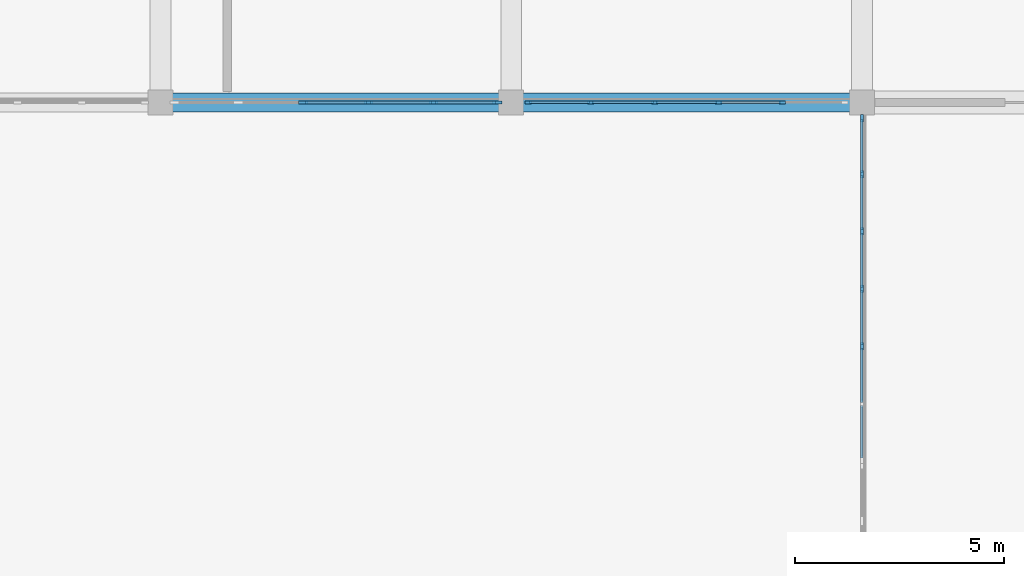
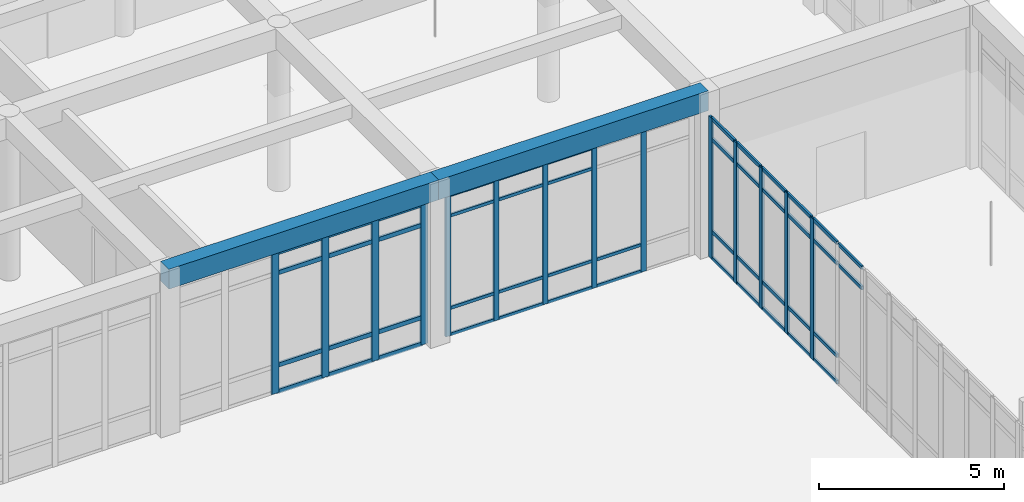
# One storey, part 28 of 157: 62 members, 2 beams, 3 elements without a shape of their own.
"""IFC4 building model written with IfcOpenShell, lengths in metres."""

import ifcopenshell
import ifcopenshell.guid

model = None  # the IFC model being written
_history = None  # IfcOwnerHistory: only IFC2X3 demands one
_inside = {}  # id of a spatial element -> (the spatial element, [elements in it])
_under = {}  # id of a project, library or spatial element -> (it, [spatial elements below it])
_declared = {}  # id of a project -> (the project, [libraries it declares])
_typed = {}  # id of a type object -> (the type object, [elements of that type])
_made_of = {}  # id of a material, layer set ... -> (it, [elements and type objects made of it])


def new_model(schema):
    """Start an empty IFC model of exactly this schema.

    Asked for "IFC4X3", IfcOpenShell would pick the latest addendum, in which some entities
    have other attributes; the version numbers below select the first issue.
    IFC2X3 requires an IfcOwnerHistory on every rooted entity: one is made here for all.
    """
    global model, _history
    if schema == "IFC4X3":
        model = ifcopenshell.file(schema_version=(4, 3, 0, 0))
    else:
        model = ifcopenshell.file(schema=schema)
    _inside.clear()
    _under.clear()
    _declared.clear()
    _typed.clear()
    _made_of.clear()
    _history = None
    if model.schema == "IFC2X3":
        org = make("IfcOrganization", Name="unknown")
        user = make(
            "IfcPersonAndOrganization",
            ThePerson=make("IfcPerson", FamilyName="unknown"),
            TheOrganization=org,
        )
        app = make(
            "IfcApplication",
            ApplicationDeveloper=org,
            Version="unknown",
            ApplicationFullName="unknown",
            ApplicationIdentifier="unknown",
        )
        _history = make(
            "IfcOwnerHistory",
            OwningUser=user,
            OwningApplication=app,
            ChangeAction="ADDED",
            CreationDate=0,
        )
    return model


def make(cls, **values):
    """One entity of the class cls with the attributes given. An attribute that is None is left unset."""
    return model.create_entity(
        cls, **{name: value for name, value in values.items() if value is not None}
    )


def rooted(cls, **values):
    """An entity with a GlobalId (a new one), such as an element, a storey or a relation."""
    return make(cls, GlobalId=ifcopenshell.guid.new(), OwnerHistory=_history, **values)


def si_unit(unit_type, name, prefix=None):
    """IfcSIUnit, for example si_unit("LENGTHUNIT", "METRE", prefix="MILLI")."""
    return make("IfcSIUnit", UnitType=unit_type, Prefix=prefix, Name=name)


def assignment(units):
    """IfcUnitAssignment: the units of a project."""
    return None if units is None else make("IfcUnitAssignment", Units=units)


def point(xyz):
    """IfcCartesianPoint."""
    return None if xyz is None else make("IfcCartesianPoint", Coordinates=xyz)


def direction(xyz):
    """IfcDirection."""
    return None if xyz is None else make("IfcDirection", DirectionRatios=xyz)


def frame(location, z_axis=None, x_axis=None):
    """IfcAxis2Placement3D, a coordinate frame: its origin and axes. An axis left out is left unset."""
    return make(
        "IfcAxis2Placement3D",
        Location=point(location),
        Axis=direction(z_axis),
        RefDirection=direction(x_axis),
    )


def frame_2d(location, x_axis=None):
    """IfcAxis2Placement2D, a coordinate frame in the plane: its origin and x axis."""
    return make(
        "IfcAxis2Placement2D", Location=point(location), RefDirection=direction(x_axis)
    )


def origin():
    """The frame at (0, 0, 0) with its axes left unset."""
    return frame((0.0, 0.0, 0.0))


def origin_2d():
    """The frame at (0, 0) in the plane with its x axis left unset."""
    return frame_2d((0.0, 0.0))


def place(relative_to, where):
    """IfcLocalPlacement: puts the frame where relative to a parent placement (None: the world)."""
    return make(
        "IfcLocalPlacement", PlacementRelTo=relative_to, RelativePlacement=where
    )


def context(
    kind, dimensions, precision=None, world=None, true_north=None, identifier=None
):
    """IfcGeometricRepresentationContext, for example the 3D "Model" context."""
    return make(
        "IfcGeometricRepresentationContext",
        ContextIdentifier=identifier,
        ContextType=kind,
        CoordinateSpaceDimension=dimensions,
        Precision=precision,
        WorldCoordinateSystem=world,
        TrueNorth=true_north,
    )


def subcontext(parent, identifier, kind, view, scale=None):
    """IfcGeometricRepresentationSubContext, for example "Body" below "Model"."""
    return make(
        "IfcGeometricRepresentationSubContext",
        ContextIdentifier=identifier,
        ContextType=kind,
        ParentContext=parent,
        TargetScale=scale,
        TargetView=view,
    )


def project(units=None, contexts=None):
    """IfcProject with its units and contexts."""
    return rooted(
        "IfcProject",
        Name="project",
        RepresentationContexts=contexts,
        UnitsInContext=assignment(units),
    )


def spatial(cls, under=None, at=None, **own):
    """A site, building, storey or space (cls), placed at a placement, below another one or the project."""
    s = rooted(cls, ObjectPlacement=at, **own)
    if under is not None:
        _under.setdefault(under.id(), (under, []))[1].append(s)
    return s


def profile(cls, at=None, kind="AREA", **sizes):
    """A parametric profile (cls). Its sizes go by their IFC names, for example OverallWidth=200.0."""
    return make(cls, ProfileType=kind, Position=at, **sizes)


def rectangle(**sizes):
    """IfcRectangleProfileDef."""
    return profile("IfcRectangleProfileDef", **sizes)


def extrude(swept, where, along, depth):
    """IfcExtrudedAreaSolid: the profile swept, set in the frame where, extruded along a direction by depth."""
    return make(
        "IfcExtrudedAreaSolid",
        SweptArea=swept,
        Position=where,
        ExtrudedDirection=direction(along),
        Depth=depth,
    )


def shape(context_of_items, identifier, shape_type, items):
    """IfcShapeRepresentation: the items that make up one representation, for example the "Body"."""
    return make(
        "IfcShapeRepresentation",
        ContextOfItems=context_of_items,
        RepresentationIdentifier=identifier,
        RepresentationType=shape_type,
        Items=items,
    )


def material(Name=None, Category=None):
    """IfcMaterial."""
    return make("IfcMaterial", Name=Name, Category=Category)


def material_profile(
    of_material, cross_section, Name=None, Category=None, Priority=None
):
    """IfcMaterialProfile: a cross section and its material."""
    return make(
        "IfcMaterialProfile",
        Name=Name,
        Material=of_material,
        Profile=cross_section,
        Priority=Priority,
        Category=Category,
    )


def profile_set(profiles, Name=None, composite=None):
    """IfcMaterialProfileSet."""
    return make(
        "IfcMaterialProfileSet",
        Name=Name,
        MaterialProfiles=profiles,
        CompositeProfile=composite,
    )


def made_of(thing, what):
    """Note that an element or type object is made of a material, layer set ...; save() writes the relation."""
    if what is not None:
        _made_of.setdefault(what.id(), (what, []))[1].append(thing)
    return thing


def type_object(cls, material=None, **own):
    """A type object (cls), such as IfcWallType, which elements share."""
    return made_of(rooted(cls, **own), material)


def element(
    cls,
    number,
    at=None,
    inside=None,
    cuts=None,
    type_object=None,
    material=None,
    context=None,
    identifier="Body",
    shape_type=None,
    held_by="IfcProductDefinitionShape",
    body=None,
    shapes=None,
    **own,
):
    """One element of the class cls, such as IfcWall. Its Tag is "e" and its number.

    at: its placement. inside: the storey or other place that contains it. cuts: it is an
    opening in that element (IfcRelVoidsElement). A single representation is given by context,
    identifier, shape_type and body (its items); several are given by shapes. held_by: the class
    of the entity that holds the representations. save() writes the other relations.
    """
    e = rooted(cls, Tag="e%d" % number, ObjectPlacement=at, **own)
    if body is not None:
        shapes = [shape(context, identifier, shape_type, body)]
    if shapes is not None:
        e.Representation = make(held_by, Representations=shapes)
    if inside is not None:
        _inside.setdefault(inside.id(), (inside, []))[1].append(e)
    if cuts is not None:
        rooted(
            "IfcRelVoidsElement", RelatingBuildingElement=cuts, RelatedOpeningElement=e
        )
    if type_object is not None:
        _typed.setdefault(type_object.id(), (type_object, []))[1].append(e)
    return made_of(e, material)


def aggregate(whole, parts):
    """IfcRelAggregates: a whole, such as a stair, and the parts it consists of."""
    return rooted("IfcRelAggregates", RelatingObject=whole, RelatedObjects=parts)


def save(model, path):
    """Write the relations noted so far, then the file.

    IfcRelAggregates (storeys below a building ...), IfcRelContainedInSpatialStructure (elements
    in a storey), IfcRelDefinesByType, IfcRelAssociatesMaterial and IfcRelDeclares: one each for
    every whole, place, type object, material and project.
    """
    for whole, parts in _under.values():
        aggregate(whole, parts)
    for where, things in _inside.values():
        rooted(
            "IfcRelContainedInSpatialStructure",
            RelatedElements=things,
            RelatingStructure=where,
        )
    for kind, things in _typed.values():
        rooted("IfcRelDefinesByType", RelatedObjects=things, RelatingType=kind)
    for what, things in _made_of.values():
        rooted("IfcRelAssociatesMaterial", RelatedObjects=things, RelatingMaterial=what)
    for by, libraries in _declared.values():
        rooted("IfcRelDeclares", RelatingContext=by, RelatedDefinitions=libraries)
    model.write(path)


model = new_model("IFC4")

# Units and contexts
model_context = context("Model", 3, precision=1e-05, world=origin(), true_north=direction((0.0, 1.0)))
body_context = subcontext(model_context, "Body", "Model", "MODEL_VIEW")
ifc_project = project(units=[si_unit("LENGTHUNIT", "METRE"), si_unit("AREAUNIT", "SQUARE_METRE"), si_unit("VOLUMEUNIT", "CUBIC_METRE"), si_unit("PLANEANGLEUNIT", "RADIAN"), si_unit("MASSUNIT", "GRAM", prefix="KILO")], contexts=[model_context])

# Site, building, storey
site_placement = place(None, origin())
site = spatial("IfcSite", under=ifc_project, at=site_placement, CompositionType="ELEMENT")
building_placement = place(site_placement, origin())
building = spatial("IfcBuilding", under=site, at=building_placement, Name="Varncliffe General Hospital", CompositionType="ELEMENT")
storey_placement = place(building_placement, frame((0.0, 0.0, 5.39990234375)))
storey = spatial("IfcBuildingStorey", under=building, at=storey_placement, Name="L01", CompositionType="ELEMENT", Elevation=5.39990234375)

# Curtain wall, members
ifc_material_1 = material(Name="Triple low-E argon insulated vision glazing", Category="glass")
curtain_wall_type_1 = type_object("IfcCurtainWallType", Name="Unitised Glazed Curtain Wall CW14 (8260x4640)", PredefinedType="USERDEFINED", material=ifc_material_1)
curtain_wall_1_placement = place(storey_placement, origin())
curtain_wall_1 = element("IfcCurtainWall", 1, at=curtain_wall_1_placement, inside=storey, type_object=curtain_wall_type_1, Name="L01 Glazed Curtain Wall CW14-100", ObjectType="GLAZED CURTAIN WALL", PredefinedType="USERDEFINED")
ifc_material_2 = material(Name="Dark bronze thermally broken aluminium framing", Category="aluminium")
ifc_material_profile_1 = material_profile(ifc_material_2, rectangle(XDim=0.074951171875, YDim=0.179931640625, at=origin_2d()), Name="ALU 75x180")
ifc_profile_set_1 = profile_set([ifc_material_profile_1], Name="Dark bronze thermally broken aluminium framing")
member_type_1 = type_object("IfcMemberType", Name="Curtain Wall Mullion CM44 (ALU 75x180)", PredefinedType="MULLION", material=ifc_profile_set_1)
member_1_placement = place(storey_placement, frame((109.199951171875, 51.755126953125, 0.0), z_axis=(0.0, 0.0, 1.0), x_axis=(-1.0, 0.0, 0.0)))
member_1 = element("IfcMember", 2, at=member_1_placement, type_object=member_type_1, Name="CW14 mullion 3", PredefinedType="MULLION", context=body_context, shape_type="SweptSolid", body=[
    extrude(rectangle(XDim=0.074951171875, YDim=0.179931640625, at=origin_2d()), origin(), (0.0, 0.0, 1.0), 4.64013671875),
])
member_2_placement = place(storey_placement, frame((109.199951171875, 53.1318359375, 0.0), z_axis=(0.0, 0.0, 1.0), x_axis=(-1.0, 0.0, 0.0)))
member_2 = element("IfcMember", 3, at=member_2_placement, type_object=member_type_1, Name="CW14 mullion 4", PredefinedType="MULLION", context=body_context, shape_type="SweptSolid", body=[
    extrude(rectangle(XDim=0.074951171875, YDim=0.179931640625, at=origin_2d()), origin(), (0.0, 0.0, 1.0), 4.64013671875),
])
member_3_placement = place(storey_placement, frame((109.199951171875, 54.508544921875, 0.0), z_axis=(0.0, 0.0, 1.0), x_axis=(-1.0, 0.0, 0.0)))
member_3 = element("IfcMember", 4, at=member_3_placement, type_object=member_type_1, Name="CW14 mullion 5", PredefinedType="MULLION", context=body_context, shape_type="SweptSolid", body=[
    extrude(rectangle(XDim=0.074951171875, YDim=0.179931640625, at=origin_2d()), origin(), (0.0, 0.0, 1.0), 4.64013671875),
])
member_4_placement = place(storey_placement, frame((109.199951171875, 55.88525390625, 0.0), z_axis=(0.0, 0.0, 1.0), x_axis=(-1.0, 0.0, 0.0)))
member_4 = element("IfcMember", 5, at=member_4_placement, type_object=member_type_1, Name="CW14 mullion 6", PredefinedType="MULLION", context=body_context, shape_type="SweptSolid", body=[
    extrude(rectangle(XDim=0.074951171875, YDim=0.179931640625, at=origin_2d()), origin(), (0.0, 0.0, 1.0), 4.64013671875),
])
member_5_placement = place(storey_placement, frame((109.199951171875, 57.224609375, 0.0), z_axis=(0.0, 0.0, 1.0), x_axis=(-1.0, 0.0, 0.0)))
member_5 = element("IfcMember", 6, at=member_5_placement, type_object=member_type_1, Name="CW14 mullion 7", PredefinedType="MULLION", context=body_context, shape_type="SweptSolid", body=[
    extrude(rectangle(XDim=0.074951171875, YDim=0.179931640625, at=origin_2d()), origin(), (0.0, 0.0, 1.0), 4.64013671875),
])

curtain_wall_type_2 = type_object("IfcCurtainWallType", Name="Unitised Glazed Curtain Wall CW27 (7644x4640)", PredefinedType="USERDEFINED", material=ifc_material_1)
curtain_wall_2_placement = place(storey_placement, origin())
curtain_wall_2 = element("IfcCurtainWall", 7, at=curtain_wall_2_placement, inside=storey, type_object=curtain_wall_type_2, Name="L01 Glazed Curtain Wall CW27-101", ObjectType="GLAZED CURTAIN WALL", PredefinedType="USERDEFINED")
ifc_material_profile_2 = material_profile(ifc_material_2, rectangle(XDim=0.06494140625, YDim=0.159912109375, at=origin_2d()), Name="ALU 65x160")
ifc_profile_set_2 = profile_set([ifc_material_profile_2], Name="Dark bronze thermally broken aluminium framing")
member_type_2 = type_object("IfcMemberType", Name="Curtain Wall Mullion CM65 (ALU 65x160)", PredefinedType="MULLION", material=ifc_profile_set_2)
member_6_placement = place(storey_placement, frame((107.293212890625, 57.60009765625, 0.0), z_axis=(0.0, 0.0, 1.0), x_axis=(0.0, -1.0, 0.0)))
member_6 = element("IfcMember", 8, at=member_6_placement, type_object=member_type_2, Name="CW27 mullion 2", PredefinedType="MULLION", context=body_context, shape_type="SweptSolid", body=[
    extrude(rectangle(XDim=0.06494140625, YDim=0.159912109375, at=origin_2d()), origin(), (0.0, 0.0, 1.0), 4.64013671875),
])
member_7_placement = place(storey_placement, frame((105.764404296875, 57.60009765625, 0.0), z_axis=(0.0, 0.0, 1.0), x_axis=(0.0, -1.0, 0.0)))
member_7 = element("IfcMember", 9, at=member_7_placement, type_object=member_type_2, Name="CW27 mullion 3", PredefinedType="MULLION", context=body_context, shape_type="SweptSolid", body=[
    extrude(rectangle(XDim=0.06494140625, YDim=0.159912109375, at=origin_2d()), origin(), (0.0, 0.0, 1.0), 4.64013671875),
])
member_8_placement = place(storey_placement, frame((104.235595703125, 57.60009765625, 0.0), z_axis=(0.0, 0.0, 1.0), x_axis=(0.0, -1.0, 0.0)))
member_8 = element("IfcMember", 10, at=member_8_placement, type_object=member_type_2, Name="CW27 mullion 4", PredefinedType="MULLION", context=body_context, shape_type="SweptSolid", body=[
    extrude(rectangle(XDim=0.06494140625, YDim=0.159912109375, at=origin_2d()), origin(), (0.0, 0.0, 1.0), 4.64013671875),
])
member_9_placement = place(storey_placement, frame((102.706787109375, 57.60009765625, 0.0), z_axis=(0.0, 0.0, 1.0), x_axis=(0.0, -1.0, 0.0)))
member_9 = element("IfcMember", 11, at=member_9_placement, type_object=member_type_2, Name="CW27 mullion 5", PredefinedType="MULLION", context=body_context, shape_type="SweptSolid", body=[
    extrude(rectangle(XDim=0.06494140625, YDim=0.159912109375, at=origin_2d()), origin(), (0.0, 0.0, 1.0), 4.64013671875),
])
member_10_placement = place(storey_placement, frame((101.21044921875, 57.60009765625, 0.0), z_axis=(0.0, 0.0, 1.0), x_axis=(0.0, -1.0, 0.0)))
member_10 = element("IfcMember", 12, at=member_10_placement, type_object=member_type_2, Name="CW27 mullion 6", PredefinedType="MULLION", context=body_context, shape_type="SweptSolid", body=[
    extrude(rectangle(XDim=0.06494140625, YDim=0.159912109375, at=origin_2d()), origin(), (0.0, 0.0, 1.0), 4.64013671875),
])

curtain_wall_type_3 = type_object("IfcCurtainWallType", Name="Unitised Glazed Curtain Wall CW85 (7804x4640)", PredefinedType="USERDEFINED", material=ifc_material_1)
curtain_wall_3_placement = place(storey_placement, origin())
curtain_wall_3 = element("IfcCurtainWall", 13, at=curtain_wall_3_placement, inside=storey, type_object=curtain_wall_type_3, Name="L01 Glazed Curtain Wall CW85-102", ObjectType="GLAZED CURTAIN WALL", PredefinedType="USERDEFINED")
ifc_material_profile_3 = material_profile(ifc_material_2, rectangle(XDim=0.074951171875, YDim=0.219970703125, at=origin_2d()), Name="ALU 75x220")
ifc_profile_set_3 = profile_set([ifc_material_profile_3], Name="Dark bronze thermally broken aluminium framing")
member_type_3 = type_object("IfcMemberType", Name="Curtain Wall Mullion CM74 (ALU 75x220)", PredefinedType="MULLION", material=ifc_profile_set_3)
member_11_placement = place(storey_placement, frame((100.464599609375, 57.60009765625, 0.0), z_axis=(0.0, 0.0, 1.0), x_axis=(0.0, -1.0, 0.0)))
member_11 = element("IfcMember", 14, at=member_11_placement, type_object=member_type_3, Name="CW85 mullion 1", PredefinedType="MULLION", context=body_context, shape_type="SweptSolid", body=[
    extrude(rectangle(XDim=0.074951171875, YDim=0.219970703125, at=origin_2d()), origin(), (0.0, 0.0, 1.0), 4.64013671875),
])
member_12_placement = place(storey_placement, frame((98.941162109375, 57.60009765625, 0.0), z_axis=(0.0, 0.0, 1.0), x_axis=(0.0, -1.0, 0.0)))
member_12 = element("IfcMember", 15, at=member_12_placement, type_object=member_type_3, Name="CW85 mullion 2", PredefinedType="MULLION", context=body_context, shape_type="SweptSolid", body=[
    extrude(rectangle(XDim=0.074951171875, YDim=0.219970703125, at=origin_2d()), origin(), (0.0, 0.0, 1.0), 4.64013671875),
])
member_13_placement = place(storey_placement, frame((97.38037109375, 57.60009765625, 0.0), z_axis=(0.0, 0.0, 1.0), x_axis=(0.0, -1.0, 0.0)))
member_13 = element("IfcMember", 16, at=member_13_placement, type_object=member_type_3, Name="CW85 mullion 3", PredefinedType="MULLION", context=body_context, shape_type="SweptSolid", body=[
    extrude(rectangle(XDim=0.074951171875, YDim=0.219970703125, at=origin_2d()), origin(), (0.0, 0.0, 1.0), 4.64013671875),
])
member_14_placement = place(storey_placement, frame((95.819580078125, 57.60009765625, 0.0), z_axis=(0.0, 0.0, 1.0), x_axis=(0.0, -1.0, 0.0)))
member_14 = element("IfcMember", 17, at=member_14_placement, type_object=member_type_3, Name="CW85 mullion 4", PredefinedType="MULLION", context=body_context, shape_type="SweptSolid", body=[
    extrude(rectangle(XDim=0.074951171875, YDim=0.219970703125, at=origin_2d()), origin(), (0.0, 0.0, 1.0), 4.64013671875),
])

# Member
ifc_material_profile_4 = material_profile(ifc_material_2, rectangle(XDim=0.06005859375, YDim=0.1201171875, at=origin_2d()), Name="ALU 60x120")
ifc_profile_set_4 = profile_set([ifc_material_profile_4], Name="Dark bronze thermally broken aluminium framing")
member_type_4 = type_object("IfcMemberType", Name="Curtain Wall Transom CT14 (ALU 60x120)", PredefinedType="USERDEFINED", material=ifc_profile_set_4)
member_15_placement = place(storey_placement, frame((109.199951171875, 49.07666015625, 3.940185546875), z_axis=(0.0, 1.0, 0.0), x_axis=(-1.0, 0.0, 0.0)))
member_15 = element("IfcMember", 18, at=member_15_placement, type_object=member_type_4, Name="CW14 transom 1.3", ObjectType="TRANSOM", PredefinedType="USERDEFINED", context=body_context, shape_type="SweptSolid", body=[
    extrude(rectangle(XDim=0.06005859375, YDim=0.1201171875, at=origin_2d()), origin(), (0.0, 0.0, 1.0), 1.26416015625),
])

member_16_placement = place(storey_placement, frame((109.199951171875, 49.07666015625, 4.610107421875), z_axis=(0.0, 1.0, 0.0), x_axis=(-1.0, 0.0, 0.0)))
member_16 = element("IfcMember", 19, at=member_16_placement, type_object=member_type_4, Name="CW14 transom 1.4", ObjectType="TRANSOM", PredefinedType="USERDEFINED", context=body_context, shape_type="SweptSolid", body=[
    extrude(rectangle(XDim=0.06005859375, YDim=0.1201171875, at=origin_2d()), origin(), (0.0, 0.0, 1.0), 1.26416015625),
])

member_17_placement = place(storey_placement, frame((109.199951171875, 50.415771484375, 0.030029296875), z_axis=(0.0, 1.0, 0.0), x_axis=(-1.0, 0.0, 0.0)))
member_17 = element("IfcMember", 20, at=member_17_placement, type_object=member_type_4, Name="CW14 transom 2.1", ObjectType="TRANSOM", PredefinedType="USERDEFINED", context=body_context, shape_type="SweptSolid", body=[
    extrude(rectangle(XDim=0.06005859375, YDim=0.1201171875, at=origin_2d()), origin(), (0.0, 0.0, 1.0), 1.3017578125),
])

member_18_placement = place(storey_placement, frame((109.199951171875, 50.415771484375, 0.900146484375), z_axis=(0.0, 1.0, 0.0), x_axis=(-1.0, 0.0, 0.0)))
member_18 = element("IfcMember", 21, at=member_18_placement, type_object=member_type_4, Name="CW14 transom 2.2", ObjectType="TRANSOM", PredefinedType="USERDEFINED", context=body_context, shape_type="SweptSolid", body=[
    extrude(rectangle(XDim=0.06005859375, YDim=0.1201171875, at=origin_2d()), origin(), (0.0, 0.0, 1.0), 1.3017578125),
])

member_19_placement = place(storey_placement, frame((109.199951171875, 50.415771484375, 3.940185546875), z_axis=(0.0, 1.0, 0.0), x_axis=(-1.0, 0.0, 0.0)))
member_19 = element("IfcMember", 22, at=member_19_placement, type_object=member_type_4, Name="CW14 transom 2.3", ObjectType="TRANSOM", PredefinedType="USERDEFINED", context=body_context, shape_type="SweptSolid", body=[
    extrude(rectangle(XDim=0.06005859375, YDim=0.1201171875, at=origin_2d()), origin(), (0.0, 0.0, 1.0), 1.3017578125),
])

member_20_placement = place(storey_placement, frame((109.199951171875, 50.415771484375, 4.610107421875), z_axis=(0.0, 1.0, 0.0), x_axis=(-1.0, 0.0, 0.0)))
member_20 = element("IfcMember", 23, at=member_20_placement, type_object=member_type_4, Name="CW14 transom 2.4", ObjectType="TRANSOM", PredefinedType="USERDEFINED", context=body_context, shape_type="SweptSolid", body=[
    extrude(rectangle(XDim=0.06005859375, YDim=0.1201171875, at=origin_2d()), origin(), (0.0, 0.0, 1.0), 1.3017578125),
])

member_21_placement = place(storey_placement, frame((109.199951171875, 51.79248046875, 0.030029296875), z_axis=(0.0, 1.0, 0.0), x_axis=(-1.0, 0.0, 0.0)))
member_21 = element("IfcMember", 24, at=member_21_placement, type_object=member_type_4, Name="CW14 transom 3.1", ObjectType="TRANSOM", PredefinedType="USERDEFINED", context=body_context, shape_type="SweptSolid", body=[
    extrude(rectangle(XDim=0.06005859375, YDim=0.1201171875, at=origin_2d()), origin(), (0.0, 0.0, 1.0), 1.3017578125),
])

member_22_placement = place(storey_placement, frame((109.199951171875, 51.79248046875, 0.900146484375), z_axis=(0.0, 1.0, 0.0), x_axis=(-1.0, 0.0, 0.0)))
member_22 = element("IfcMember", 25, at=member_22_placement, type_object=member_type_4, Name="CW14 transom 3.2", ObjectType="TRANSOM", PredefinedType="USERDEFINED", context=body_context, shape_type="SweptSolid", body=[
    extrude(rectangle(XDim=0.06005859375, YDim=0.1201171875, at=origin_2d()), origin(), (0.0, 0.0, 1.0), 1.3017578125),
])

member_23_placement = place(storey_placement, frame((109.199951171875, 51.79248046875, 3.940185546875), z_axis=(0.0, 1.0, 0.0), x_axis=(-1.0, 0.0, 0.0)))
member_23 = element("IfcMember", 26, at=member_23_placement, type_object=member_type_4, Name="CW14 transom 3.3", ObjectType="TRANSOM", PredefinedType="USERDEFINED", context=body_context, shape_type="SweptSolid", body=[
    extrude(rectangle(XDim=0.06005859375, YDim=0.1201171875, at=origin_2d()), origin(), (0.0, 0.0, 1.0), 1.3017578125),
])

member_24_placement = place(storey_placement, frame((109.199951171875, 51.79248046875, 4.610107421875), z_axis=(0.0, 1.0, 0.0), x_axis=(-1.0, 0.0, 0.0)))
member_24 = element("IfcMember", 27, at=member_24_placement, type_object=member_type_4, Name="CW14 transom 3.4", ObjectType="TRANSOM", PredefinedType="USERDEFINED", context=body_context, shape_type="SweptSolid", body=[
    extrude(rectangle(XDim=0.06005859375, YDim=0.1201171875, at=origin_2d()), origin(), (0.0, 0.0, 1.0), 1.3017578125),
])

member_25_placement = place(storey_placement, frame((109.199951171875, 53.169189453125, 0.030029296875), z_axis=(0.0, 1.0, 0.0), x_axis=(-1.0, 0.0, 0.0)))
member_25 = element("IfcMember", 28, at=member_25_placement, type_object=member_type_4, Name="CW14 transom 4.1", ObjectType="TRANSOM", PredefinedType="USERDEFINED", context=body_context, shape_type="SweptSolid", body=[
    extrude(rectangle(XDim=0.06005859375, YDim=0.1201171875, at=origin_2d()), origin(), (0.0, 0.0, 1.0), 1.3017578125),
])

member_26_placement = place(storey_placement, frame((109.199951171875, 53.169189453125, 0.900146484375), z_axis=(0.0, 1.0, 0.0), x_axis=(-1.0, 0.0, 0.0)))
member_26 = element("IfcMember", 29, at=member_26_placement, type_object=member_type_4, Name="CW14 transom 4.2", ObjectType="TRANSOM", PredefinedType="USERDEFINED", context=body_context, shape_type="SweptSolid", body=[
    extrude(rectangle(XDim=0.06005859375, YDim=0.1201171875, at=origin_2d()), origin(), (0.0, 0.0, 1.0), 1.3017578125),
])

member_27_placement = place(storey_placement, frame((109.199951171875, 53.169189453125, 3.940185546875), z_axis=(0.0, 1.0, 0.0), x_axis=(-1.0, 0.0, 0.0)))
member_27 = element("IfcMember", 30, at=member_27_placement, type_object=member_type_4, Name="CW14 transom 4.3", ObjectType="TRANSOM", PredefinedType="USERDEFINED", context=body_context, shape_type="SweptSolid", body=[
    extrude(rectangle(XDim=0.06005859375, YDim=0.1201171875, at=origin_2d()), origin(), (0.0, 0.0, 1.0), 1.3017578125),
])

member_28_placement = place(storey_placement, frame((109.199951171875, 53.169189453125, 4.610107421875), z_axis=(0.0, 1.0, 0.0), x_axis=(-1.0, 0.0, 0.0)))
member_28 = element("IfcMember", 31, at=member_28_placement, type_object=member_type_4, Name="CW14 transom 4.4", ObjectType="TRANSOM", PredefinedType="USERDEFINED", context=body_context, shape_type="SweptSolid", body=[
    extrude(rectangle(XDim=0.06005859375, YDim=0.1201171875, at=origin_2d()), origin(), (0.0, 0.0, 1.0), 1.3017578125),
])

member_29_placement = place(storey_placement, frame((109.199951171875, 54.546142578125, 0.030029296875), z_axis=(0.0, 1.0, 0.0), x_axis=(-1.0, 0.0, 0.0)))
member_29 = element("IfcMember", 32, at=member_29_placement, type_object=member_type_4, Name="CW14 transom 5.1", ObjectType="TRANSOM", PredefinedType="USERDEFINED", context=body_context, shape_type="SweptSolid", body=[
    extrude(rectangle(XDim=0.06005859375, YDim=0.1201171875, at=origin_2d()), origin(), (0.0, 0.0, 1.0), 1.301513671875),
])

member_30_placement = place(storey_placement, frame((109.199951171875, 54.546142578125, 0.900146484375), z_axis=(0.0, 1.0, 0.0), x_axis=(-1.0, 0.0, 0.0)))
member_30 = element("IfcMember", 33, at=member_30_placement, type_object=member_type_4, Name="CW14 transom 5.2", ObjectType="TRANSOM", PredefinedType="USERDEFINED", context=body_context, shape_type="SweptSolid", body=[
    extrude(rectangle(XDim=0.06005859375, YDim=0.1201171875, at=origin_2d()), origin(), (0.0, 0.0, 1.0), 1.301513671875),
])

member_31_placement = place(storey_placement, frame((109.199951171875, 54.546142578125, 3.940185546875), z_axis=(0.0, 1.0, 0.0), x_axis=(-1.0, 0.0, 0.0)))
member_31 = element("IfcMember", 34, at=member_31_placement, type_object=member_type_4, Name="CW14 transom 5.3", ObjectType="TRANSOM", PredefinedType="USERDEFINED", context=body_context, shape_type="SweptSolid", body=[
    extrude(rectangle(XDim=0.06005859375, YDim=0.1201171875, at=origin_2d()), origin(), (0.0, 0.0, 1.0), 1.301513671875),
])

member_32_placement = place(storey_placement, frame((109.199951171875, 54.546142578125, 4.610107421875), z_axis=(0.0, 1.0, 0.0), x_axis=(-1.0, 0.0, 0.0)))
member_32 = element("IfcMember", 35, at=member_32_placement, type_object=member_type_4, Name="CW14 transom 5.4", ObjectType="TRANSOM", PredefinedType="USERDEFINED", context=body_context, shape_type="SweptSolid", body=[
    extrude(rectangle(XDim=0.06005859375, YDim=0.1201171875, at=origin_2d()), origin(), (0.0, 0.0, 1.0), 1.301513671875),
])

member_33_placement = place(storey_placement, frame((109.199951171875, 55.9228515625, 0.030029296875), z_axis=(0.0, 1.0, 0.0), x_axis=(-1.0, 0.0, 0.0)))
member_33 = element("IfcMember", 36, at=member_33_placement, type_object=member_type_4, Name="CW14 transom 6.1", ObjectType="TRANSOM", PredefinedType="USERDEFINED", context=body_context, shape_type="SweptSolid", body=[
    extrude(rectangle(XDim=0.06005859375, YDim=0.1201171875, at=origin_2d()), origin(), (0.0, 0.0, 1.0), 1.26416015625),
])

member_34_placement = place(storey_placement, frame((109.199951171875, 55.9228515625, 0.900146484375), z_axis=(0.0, 1.0, 0.0), x_axis=(-1.0, 0.0, 0.0)))
member_34 = element("IfcMember", 37, at=member_34_placement, type_object=member_type_4, Name="CW14 transom 6.2", ObjectType="TRANSOM", PredefinedType="USERDEFINED", context=body_context, shape_type="SweptSolid", body=[
    extrude(rectangle(XDim=0.06005859375, YDim=0.1201171875, at=origin_2d()), origin(), (0.0, 0.0, 1.0), 1.26416015625),
])

member_35_placement = place(storey_placement, frame((109.199951171875, 55.9228515625, 3.940185546875), z_axis=(0.0, 1.0, 0.0), x_axis=(-1.0, 0.0, 0.0)))
member_35 = element("IfcMember", 38, at=member_35_placement, type_object=member_type_4, Name="CW14 transom 6.3", ObjectType="TRANSOM", PredefinedType="USERDEFINED", context=body_context, shape_type="SweptSolid", body=[
    extrude(rectangle(XDim=0.06005859375, YDim=0.1201171875, at=origin_2d()), origin(), (0.0, 0.0, 1.0), 1.26416015625),
])

member_36_placement = place(storey_placement, frame((109.199951171875, 55.9228515625, 4.610107421875), z_axis=(0.0, 1.0, 0.0), x_axis=(-1.0, 0.0, 0.0)))
member_36 = element("IfcMember", 39, at=member_36_placement, type_object=member_type_4, Name="CW14 transom 6.4", ObjectType="TRANSOM", PredefinedType="USERDEFINED", context=body_context, shape_type="SweptSolid", body=[
    extrude(rectangle(XDim=0.06005859375, YDim=0.1201171875, at=origin_2d()), origin(), (0.0, 0.0, 1.0), 1.26416015625),
])

aggregate(curtain_wall_1, [member_1, member_2, member_3, member_4, member_5, member_15, member_16, member_17, member_18, member_19, member_20, member_21, member_22, member_23, member_24, member_25, member_26, member_27, member_28, member_29, member_30, member_31, member_32, member_33, member_34, member_35, member_36])

ifc_material_profile_5 = material_profile(ifc_material_2, rectangle(XDim=0.06005859375, YDim=0.10009765625, at=origin_2d()), Name="ALU 60x100")
ifc_profile_set_5 = profile_set([ifc_material_profile_5], Name="Dark bronze thermally broken aluminium framing")
member_type_5 = type_object("IfcMemberType", Name="Curtain Wall Transom CT18 (ALU 60x100)", PredefinedType="USERDEFINED", material=ifc_profile_set_5)
member_37_placement = place(storey_placement, frame((107.2607421875, 57.60009765625, 0.030029296875), z_axis=(-1.0, 0.0, 0.0), x_axis=(0.0, -1.0, 0.0)))
member_37 = element("IfcMember", 40, at=member_37_placement, type_object=member_type_5, Name="CW27 transom 2.1", ObjectType="TRANSOM", PredefinedType="USERDEFINED", context=body_context, shape_type="SweptSolid", body=[
    extrude(rectangle(XDim=0.06005859375, YDim=0.10009765625, at=origin_2d()), origin(), (0.0, 0.0, 1.0), 1.4638671875),
])

member_38_placement = place(storey_placement, frame((107.2607421875, 57.60009765625, 0.900146484375), z_axis=(-1.0, 0.0, 0.0), x_axis=(0.0, -1.0, 0.0)))
member_38 = element("IfcMember", 41, at=member_38_placement, type_object=member_type_5, Name="CW27 transom 2.2", ObjectType="TRANSOM", PredefinedType="USERDEFINED", context=body_context, shape_type="SweptSolid", body=[
    extrude(rectangle(XDim=0.06005859375, YDim=0.10009765625, at=origin_2d()), origin(), (0.0, 0.0, 1.0), 1.4638671875),
])

member_39_placement = place(storey_placement, frame((105.73193359375, 57.60009765625, 0.030029296875), z_axis=(-1.0, 0.0, 0.0), x_axis=(0.0, -1.0, 0.0)))
member_39 = element("IfcMember", 42, at=member_39_placement, type_object=member_type_5, Name="CW27 transom 3.1", ObjectType="TRANSOM", PredefinedType="USERDEFINED", context=body_context, shape_type="SweptSolid", body=[
    extrude(rectangle(XDim=0.06005859375, YDim=0.10009765625, at=origin_2d()), origin(), (0.0, 0.0, 1.0), 1.4638671875),
])

member_40_placement = place(storey_placement, frame((105.73193359375, 57.60009765625, 0.900146484375), z_axis=(-1.0, 0.0, 0.0), x_axis=(0.0, -1.0, 0.0)))
member_40 = element("IfcMember", 43, at=member_40_placement, type_object=member_type_5, Name="CW27 transom 3.2", ObjectType="TRANSOM", PredefinedType="USERDEFINED", context=body_context, shape_type="SweptSolid", body=[
    extrude(rectangle(XDim=0.06005859375, YDim=0.10009765625, at=origin_2d()), origin(), (0.0, 0.0, 1.0), 1.4638671875),
])

member_41_placement = place(storey_placement, frame((105.73193359375, 57.60009765625, 3.940185546875), z_axis=(-1.0, 0.0, 0.0), x_axis=(0.0, -1.0, 0.0)))
member_41 = element("IfcMember", 44, at=member_41_placement, type_object=member_type_5, Name="CW27 transom 3.3", ObjectType="TRANSOM", PredefinedType="USERDEFINED", context=body_context, shape_type="SweptSolid", body=[
    extrude(rectangle(XDim=0.06005859375, YDim=0.10009765625, at=origin_2d()), origin(), (0.0, 0.0, 1.0), 1.4638671875),
])

member_42_placement = place(storey_placement, frame((105.73193359375, 57.60009765625, 4.610107421875), z_axis=(-1.0, 0.0, 0.0), x_axis=(0.0, -1.0, 0.0)))
member_42 = element("IfcMember", 45, at=member_42_placement, type_object=member_type_5, Name="CW27 transom 3.4", ObjectType="TRANSOM", PredefinedType="USERDEFINED", context=body_context, shape_type="SweptSolid", body=[
    extrude(rectangle(XDim=0.06005859375, YDim=0.10009765625, at=origin_2d()), origin(), (0.0, 0.0, 1.0), 1.4638671875),
])

member_43_placement = place(storey_placement, frame((104.203125, 57.60009765625, 0.030029296875), z_axis=(-1.0, 0.0, 0.0), x_axis=(0.0, -1.0, 0.0)))
member_43 = element("IfcMember", 46, at=member_43_placement, type_object=member_type_5, Name="CW27 transom 4.1", ObjectType="TRANSOM", PredefinedType="USERDEFINED", context=body_context, shape_type="SweptSolid", body=[
    extrude(rectangle(XDim=0.06005859375, YDim=0.10009765625, at=origin_2d()), origin(), (0.0, 0.0, 1.0), 1.4638671875),
])

member_44_placement = place(storey_placement, frame((104.203125, 57.60009765625, 0.900146484375), z_axis=(-1.0, 0.0, 0.0), x_axis=(0.0, -1.0, 0.0)))
member_44 = element("IfcMember", 47, at=member_44_placement, type_object=member_type_5, Name="CW27 transom 4.2", ObjectType="TRANSOM", PredefinedType="USERDEFINED", context=body_context, shape_type="SweptSolid", body=[
    extrude(rectangle(XDim=0.06005859375, YDim=0.10009765625, at=origin_2d()), origin(), (0.0, 0.0, 1.0), 1.4638671875),
])

member_45_placement = place(storey_placement, frame((104.203125, 57.60009765625, 3.940185546875), z_axis=(-1.0, 0.0, 0.0), x_axis=(0.0, -1.0, 0.0)))
member_45 = element("IfcMember", 48, at=member_45_placement, type_object=member_type_5, Name="CW27 transom 4.3", ObjectType="TRANSOM", PredefinedType="USERDEFINED", context=body_context, shape_type="SweptSolid", body=[
    extrude(rectangle(XDim=0.06005859375, YDim=0.10009765625, at=origin_2d()), origin(), (0.0, 0.0, 1.0), 1.4638671875),
])

member_46_placement = place(storey_placement, frame((104.203125, 57.60009765625, 4.610107421875), z_axis=(-1.0, 0.0, 0.0), x_axis=(0.0, -1.0, 0.0)))
member_46 = element("IfcMember", 49, at=member_46_placement, type_object=member_type_5, Name="CW27 transom 4.4", ObjectType="TRANSOM", PredefinedType="USERDEFINED", context=body_context, shape_type="SweptSolid", body=[
    extrude(rectangle(XDim=0.06005859375, YDim=0.10009765625, at=origin_2d()), origin(), (0.0, 0.0, 1.0), 1.4638671875),
])

member_47_placement = place(storey_placement, frame((102.67431640625, 57.60009765625, 0.030029296875), z_axis=(-1.0, 0.0, 0.0), x_axis=(0.0, -1.0, 0.0)))
member_47 = element("IfcMember", 50, at=member_47_placement, type_object=member_type_5, Name="CW27 transom 5.1", ObjectType="TRANSOM", PredefinedType="USERDEFINED", context=body_context, shape_type="SweptSolid", body=[
    extrude(rectangle(XDim=0.06005859375, YDim=0.10009765625, at=origin_2d()), origin(), (0.0, 0.0, 1.0), 1.431396484375),
])

member_48_placement = place(storey_placement, frame((102.67431640625, 57.60009765625, 0.900146484375), z_axis=(-1.0, 0.0, 0.0), x_axis=(0.0, -1.0, 0.0)))
member_48 = element("IfcMember", 51, at=member_48_placement, type_object=member_type_5, Name="CW27 transom 5.2", ObjectType="TRANSOM", PredefinedType="USERDEFINED", context=body_context, shape_type="SweptSolid", body=[
    extrude(rectangle(XDim=0.06005859375, YDim=0.10009765625, at=origin_2d()), origin(), (0.0, 0.0, 1.0), 1.431396484375),
])

member_49_placement = place(storey_placement, frame((102.67431640625, 57.60009765625, 3.940185546875), z_axis=(-1.0, 0.0, 0.0), x_axis=(0.0, -1.0, 0.0)))
member_49 = element("IfcMember", 52, at=member_49_placement, type_object=member_type_5, Name="CW27 transom 5.3", ObjectType="TRANSOM", PredefinedType="USERDEFINED", context=body_context, shape_type="SweptSolid", body=[
    extrude(rectangle(XDim=0.06005859375, YDim=0.10009765625, at=origin_2d()), origin(), (0.0, 0.0, 1.0), 1.431396484375),
])

member_50_placement = place(storey_placement, frame((102.67431640625, 57.60009765625, 4.610107421875), z_axis=(-1.0, 0.0, 0.0), x_axis=(0.0, -1.0, 0.0)))
member_50 = element("IfcMember", 53, at=member_50_placement, type_object=member_type_5, Name="CW27 transom 5.4", ObjectType="TRANSOM", PredefinedType="USERDEFINED", context=body_context, shape_type="SweptSolid", body=[
    extrude(rectangle(XDim=0.06005859375, YDim=0.10009765625, at=origin_2d()), origin(), (0.0, 0.0, 1.0), 1.431396484375),
])

aggregate(curtain_wall_2, [member_6, member_7, member_8, member_9, member_10, member_37, member_38, member_39, member_40, member_41, member_42, member_43, member_44, member_45, member_46, member_47, member_48, member_49, member_50])

ifc_material_profile_6 = material_profile(ifc_material_2, rectangle(XDim=0.06494140625, YDim=0.139892578125, at=origin_2d()), Name="ALU 65x140")
ifc_profile_set_6 = profile_set([ifc_material_profile_6], Name="Dark bronze thermally broken aluminium framing")
member_type_6 = type_object("IfcMemberType", Name="Curtain Wall Transom CT69 (ALU 65x140)", PredefinedType="USERDEFINED", material=ifc_profile_set_6)
member_51_placement = place(storey_placement, frame((100.427001953125, 57.60009765625, 0.03271484375), z_axis=(-1.0, 0.0, 0.0), x_axis=(0.0, -1.0, 0.0)))
member_51 = element("IfcMember", 54, at=member_51_placement, type_object=member_type_6, Name="CW85 transom 1.1", ObjectType="TRANSOM", PredefinedType="USERDEFINED", context=body_context, shape_type="SweptSolid", body=[
    extrude(rectangle(XDim=0.06494140625, YDim=0.139892578125, at=origin_2d()), origin(), (0.0, 0.0, 1.0), 1.4482421875),
])

member_52_placement = place(storey_placement, frame((100.427001953125, 57.60009765625, 0.900146484375), z_axis=(-1.0, 0.0, 0.0), x_axis=(0.0, -1.0, 0.0)))
member_52 = element("IfcMember", 55, at=member_52_placement, type_object=member_type_6, Name="CW85 transom 1.2", ObjectType="TRANSOM", PredefinedType="USERDEFINED", context=body_context, shape_type="SweptSolid", body=[
    extrude(rectangle(XDim=0.06494140625, YDim=0.139892578125, at=origin_2d()), origin(), (0.0, 0.0, 1.0), 1.4482421875),
])

member_53_placement = place(storey_placement, frame((100.427001953125, 57.60009765625, 3.940185546875), z_axis=(-1.0, 0.0, 0.0), x_axis=(0.0, -1.0, 0.0)))
member_53 = element("IfcMember", 56, at=member_53_placement, type_object=member_type_6, Name="CW85 transom 1.3", ObjectType="TRANSOM", PredefinedType="USERDEFINED", context=body_context, shape_type="SweptSolid", body=[
    extrude(rectangle(XDim=0.06494140625, YDim=0.139892578125, at=origin_2d()), origin(), (0.0, 0.0, 1.0), 1.4482421875),
])

member_54_placement = place(storey_placement, frame((100.427001953125, 57.60009765625, 4.607666015625), z_axis=(-1.0, 0.0, 0.0), x_axis=(0.0, -1.0, 0.0)))
member_54 = element("IfcMember", 57, at=member_54_placement, type_object=member_type_6, Name="CW85 transom 1.4", ObjectType="TRANSOM", PredefinedType="USERDEFINED", context=body_context, shape_type="SweptSolid", body=[
    extrude(rectangle(XDim=0.06494140625, YDim=0.139892578125, at=origin_2d()), origin(), (0.0, 0.0, 1.0), 1.4482421875),
])

member_55_placement = place(storey_placement, frame((98.90380859375, 57.60009765625, 0.03271484375), z_axis=(-1.0, 0.0, 0.0), x_axis=(0.0, -1.0, 0.0)))
member_55 = element("IfcMember", 58, at=member_55_placement, type_object=member_type_6, Name="CW85 transom 2.1", ObjectType="TRANSOM", PredefinedType="USERDEFINED", context=body_context, shape_type="SweptSolid", body=[
    extrude(rectangle(XDim=0.06494140625, YDim=0.139892578125, at=origin_2d()), origin(), (0.0, 0.0, 1.0), 1.48583984375),
])

member_56_placement = place(storey_placement, frame((98.90380859375, 57.60009765625, 0.900146484375), z_axis=(-1.0, 0.0, 0.0), x_axis=(0.0, -1.0, 0.0)))
member_56 = element("IfcMember", 59, at=member_56_placement, type_object=member_type_6, Name="CW85 transom 2.2", ObjectType="TRANSOM", PredefinedType="USERDEFINED", context=body_context, shape_type="SweptSolid", body=[
    extrude(rectangle(XDim=0.06494140625, YDim=0.139892578125, at=origin_2d()), origin(), (0.0, 0.0, 1.0), 1.48583984375),
])

member_57_placement = place(storey_placement, frame((98.90380859375, 57.60009765625, 3.940185546875), z_axis=(-1.0, 0.0, 0.0), x_axis=(0.0, -1.0, 0.0)))
member_57 = element("IfcMember", 60, at=member_57_placement, type_object=member_type_6, Name="CW85 transom 2.3", ObjectType="TRANSOM", PredefinedType="USERDEFINED", context=body_context, shape_type="SweptSolid", body=[
    extrude(rectangle(XDim=0.06494140625, YDim=0.139892578125, at=origin_2d()), origin(), (0.0, 0.0, 1.0), 1.48583984375),
])

member_58_placement = place(storey_placement, frame((98.90380859375, 57.60009765625, 4.607666015625), z_axis=(-1.0, 0.0, 0.0), x_axis=(0.0, -1.0, 0.0)))
member_58 = element("IfcMember", 61, at=member_58_placement, type_object=member_type_6, Name="CW85 transom 2.4", ObjectType="TRANSOM", PredefinedType="USERDEFINED", context=body_context, shape_type="SweptSolid", body=[
    extrude(rectangle(XDim=0.06494140625, YDim=0.139892578125, at=origin_2d()), origin(), (0.0, 0.0, 1.0), 1.48583984375),
])

member_59_placement = place(storey_placement, frame((97.343017578125, 57.60009765625, 0.03271484375), z_axis=(-1.0, 0.0, 0.0), x_axis=(0.0, -1.0, 0.0)))
member_59 = element("IfcMember", 62, at=member_59_placement, type_object=member_type_6, Name="CW85 transom 3.1", ObjectType="TRANSOM", PredefinedType="USERDEFINED", context=body_context, shape_type="SweptSolid", body=[
    extrude(rectangle(XDim=0.06494140625, YDim=0.139892578125, at=origin_2d()), origin(), (0.0, 0.0, 1.0), 1.48583984375),
])

member_60_placement = place(storey_placement, frame((97.343017578125, 57.60009765625, 0.900146484375), z_axis=(-1.0, 0.0, 0.0), x_axis=(0.0, -1.0, 0.0)))
member_60 = element("IfcMember", 63, at=member_60_placement, type_object=member_type_6, Name="CW85 transom 3.2", ObjectType="TRANSOM", PredefinedType="USERDEFINED", context=body_context, shape_type="SweptSolid", body=[
    extrude(rectangle(XDim=0.06494140625, YDim=0.139892578125, at=origin_2d()), origin(), (0.0, 0.0, 1.0), 1.48583984375),
])

member_61_placement = place(storey_placement, frame((97.343017578125, 57.60009765625, 3.940185546875), z_axis=(-1.0, 0.0, 0.0), x_axis=(0.0, -1.0, 0.0)))
member_61 = element("IfcMember", 64, at=member_61_placement, type_object=member_type_6, Name="CW85 transom 3.3", ObjectType="TRANSOM", PredefinedType="USERDEFINED", context=body_context, shape_type="SweptSolid", body=[
    extrude(rectangle(XDim=0.06494140625, YDim=0.139892578125, at=origin_2d()), origin(), (0.0, 0.0, 1.0), 1.48583984375),
])

member_62_placement = place(storey_placement, frame((97.343017578125, 57.60009765625, 4.607666015625), z_axis=(-1.0, 0.0, 0.0), x_axis=(0.0, -1.0, 0.0)))
member_62 = element("IfcMember", 65, at=member_62_placement, type_object=member_type_6, Name="CW85 transom 3.4", ObjectType="TRANSOM", PredefinedType="USERDEFINED", context=body_context, shape_type="SweptSolid", body=[
    extrude(rectangle(XDim=0.06494140625, YDim=0.139892578125, at=origin_2d()), origin(), (0.0, 0.0, 1.0), 1.48583984375),
])

aggregate(curtain_wall_3, [member_11, member_12, member_13, member_14, member_51, member_52, member_53, member_54, member_55, member_56, member_57, member_58, member_59, member_60, member_61, member_62])

# Beams
ifc_material_3 = material(Name="Concrete C35/45 (CSA A23.1 35 MPa)", Category="concrete")
ifc_material_profile_7 = material_profile(ifc_material_3, rectangle(XDim=0.449951171875, YDim=0.64990234375, at=origin_2d()), Name="RC 450x650")
ifc_profile_set_7 = profile_set([ifc_material_profile_7], Name="Concrete C35/45 (CSA A23.1 35 MPa)")
beam_type = type_object("IfcBeamType", Name="Spandrel SP38 (Ext RC 450x650B)", PredefinedType="SPANDREL", material=ifc_profile_set_7)
beam_1_placement = place(storey_placement, frame((92.39990234375, 57.60009765625, 5.0751953125), z_axis=(1.0, 0.0, 0.0), x_axis=(0.0, 1.0, 0.0)))
element("IfcBeam", 66, at=beam_1_placement, inside=storey, type_object=beam_type, Name="L01 Spandrel Beam SP38-80", PredefinedType="SPANDREL", context=body_context, shape_type="SweptSolid", body=[
    extrude(rectangle(XDim=0.449951171875, YDim=0.64990234375, at=origin_2d()), origin(), (0.0, 0.0, 1.0), 8.400146484375),
])
beam_2_placement = place(storey_placement, frame((100.800048828125, 57.60009765625, 5.0751953125), z_axis=(1.0, 0.0, 0.0), x_axis=(0.0, 1.0, 0.0)))
element("IfcBeam", 67, at=beam_2_placement, inside=storey, type_object=beam_type, Name="L01 Spandrel Beam SP38-81", PredefinedType="SPANDREL", context=body_context, shape_type="SweptSolid", body=[
    extrude(rectangle(XDim=0.449951171875, YDim=0.64990234375, at=origin_2d()), origin(), (0.0, 0.0, 1.0), 8.39990234375),
])

save(model, "model.ifc")
